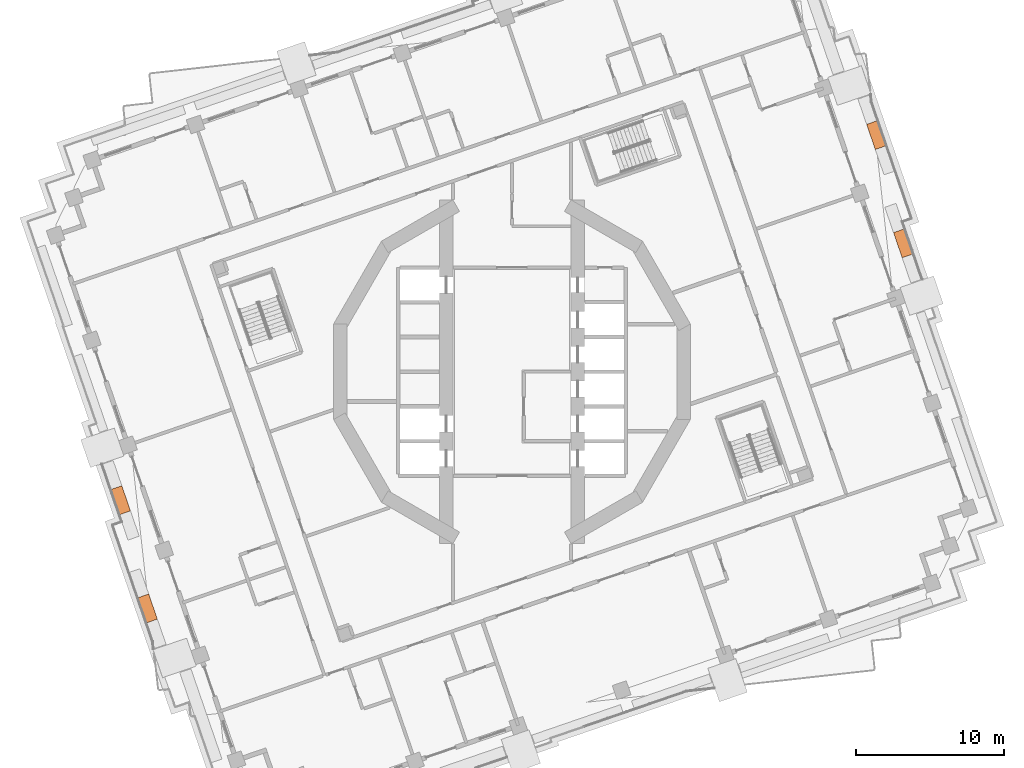
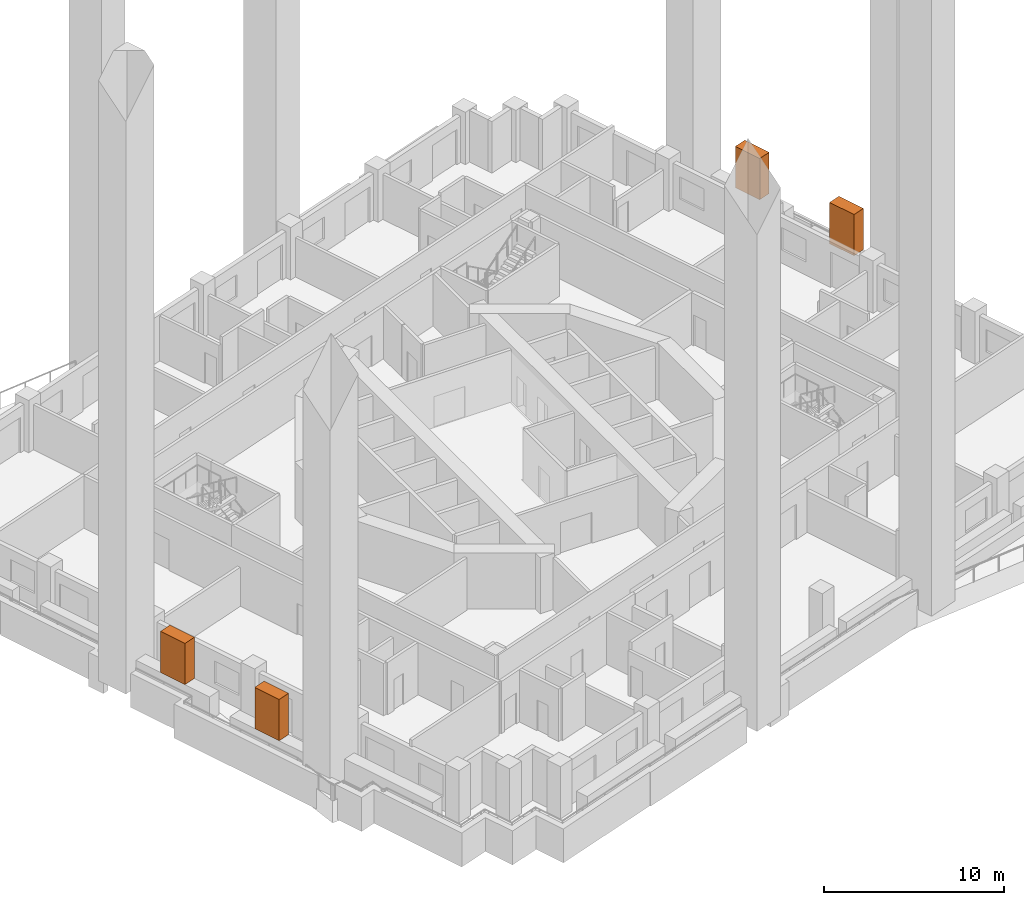
# One storey, part 18 of 18: 4 proxies.
"""IFC4 building model written with IfcOpenShell, lengths in metres."""

import ifcopenshell
import ifcopenshell.guid

model = None  # the IFC model being written
_history = None  # IfcOwnerHistory: only IFC2X3 demands one
_inside = {}  # id of a spatial element -> (the spatial element, [elements in it])
_under = {}  # id of a project, library or spatial element -> (it, [spatial elements below it])
_declared = {}  # id of a project -> (the project, [libraries it declares])
_typed = {}  # id of a type object -> (the type object, [elements of that type])
_made_of = {}  # id of a material, layer set ... -> (it, [elements and type objects made of it])


def new_model(schema):
    """Start an empty IFC model of exactly this schema.

    Asked for "IFC4X3", IfcOpenShell would pick the latest addendum, in which some entities
    have other attributes; the version numbers below select the first issue.
    IFC2X3 requires an IfcOwnerHistory on every rooted entity: one is made here for all.
    """
    global model, _history
    if schema == "IFC4X3":
        model = ifcopenshell.file(schema_version=(4, 3, 0, 0))
    else:
        model = ifcopenshell.file(schema=schema)
    _inside.clear()
    _under.clear()
    _declared.clear()
    _typed.clear()
    _made_of.clear()
    _history = None
    if model.schema == "IFC2X3":
        org = make("IfcOrganization", Name="unknown")
        user = make(
            "IfcPersonAndOrganization",
            ThePerson=make("IfcPerson", FamilyName="unknown"),
            TheOrganization=org,
        )
        app = make(
            "IfcApplication",
            ApplicationDeveloper=org,
            Version="unknown",
            ApplicationFullName="unknown",
            ApplicationIdentifier="unknown",
        )
        _history = make(
            "IfcOwnerHistory",
            OwningUser=user,
            OwningApplication=app,
            ChangeAction="ADDED",
            CreationDate=0,
        )
    return model


def make(cls, **values):
    """One entity of the class cls with the attributes given. An attribute that is None is left unset."""
    return model.create_entity(
        cls, **{name: value for name, value in values.items() if value is not None}
    )


def rooted(cls, **values):
    """An entity with a GlobalId (a new one), such as an element, a storey or a relation."""
    return make(cls, GlobalId=ifcopenshell.guid.new(), OwnerHistory=_history, **values)


def si_unit(unit_type, name, prefix=None):
    """IfcSIUnit, for example si_unit("LENGTHUNIT", "METRE", prefix="MILLI")."""
    return make("IfcSIUnit", UnitType=unit_type, Prefix=prefix, Name=name)


def assignment(units):
    """IfcUnitAssignment: the units of a project."""
    return None if units is None else make("IfcUnitAssignment", Units=units)


def point(xyz):
    """IfcCartesianPoint."""
    return None if xyz is None else make("IfcCartesianPoint", Coordinates=xyz)


def direction(xyz):
    """IfcDirection."""
    return None if xyz is None else make("IfcDirection", DirectionRatios=xyz)


def frame(location, z_axis=None, x_axis=None):
    """IfcAxis2Placement3D, a coordinate frame: its origin and axes. An axis left out is left unset."""
    return make(
        "IfcAxis2Placement3D",
        Location=point(location),
        Axis=direction(z_axis),
        RefDirection=direction(x_axis),
    )


def frame_2d(location, x_axis=None):
    """IfcAxis2Placement2D, a coordinate frame in the plane: its origin and x axis."""
    return make(
        "IfcAxis2Placement2D", Location=point(location), RefDirection=direction(x_axis)
    )


def origin():
    """The frame at (0, 0, 0) with its axes left unset."""
    return frame((0.0, 0.0, 0.0))


def origin_2d():
    """The frame at (0, 0) in the plane with its x axis left unset."""
    return frame_2d((0.0, 0.0))


def place(relative_to, where):
    """IfcLocalPlacement: puts the frame where relative to a parent placement (None: the world)."""
    return make(
        "IfcLocalPlacement", PlacementRelTo=relative_to, RelativePlacement=where
    )


def context(
    kind, dimensions, precision=None, world=None, true_north=None, identifier=None
):
    """IfcGeometricRepresentationContext, for example the 3D "Model" context."""
    return make(
        "IfcGeometricRepresentationContext",
        ContextIdentifier=identifier,
        ContextType=kind,
        CoordinateSpaceDimension=dimensions,
        Precision=precision,
        WorldCoordinateSystem=world,
        TrueNorth=true_north,
    )


def subcontext(parent, identifier, kind, view, scale=None):
    """IfcGeometricRepresentationSubContext, for example "Body" below "Model"."""
    return make(
        "IfcGeometricRepresentationSubContext",
        ContextIdentifier=identifier,
        ContextType=kind,
        ParentContext=parent,
        TargetScale=scale,
        TargetView=view,
    )


def project(units=None, contexts=None):
    """IfcProject with its units and contexts."""
    return rooted(
        "IfcProject",
        Name="project",
        RepresentationContexts=contexts,
        UnitsInContext=assignment(units),
    )


def spatial(cls, under=None, at=None, **own):
    """A site, building, storey or space (cls), placed at a placement, below another one or the project."""
    s = rooted(cls, ObjectPlacement=at, **own)
    if under is not None:
        _under.setdefault(under.id(), (under, []))[1].append(s)
    return s


def profile(cls, at=None, kind="AREA", **sizes):
    """A parametric profile (cls). Its sizes go by their IFC names, for example OverallWidth=200.0."""
    return make(cls, ProfileType=kind, Position=at, **sizes)


def rectangle(**sizes):
    """IfcRectangleProfileDef."""
    return profile("IfcRectangleProfileDef", **sizes)


def extrude(swept, where, along, depth):
    """IfcExtrudedAreaSolid: the profile swept, set in the frame where, extruded along a direction by depth."""
    return make(
        "IfcExtrudedAreaSolid",
        SweptArea=swept,
        Position=where,
        ExtrudedDirection=direction(along),
        Depth=depth,
    )


def shape(context_of_items, identifier, shape_type, items):
    """IfcShapeRepresentation: the items that make up one representation, for example the "Body"."""
    return make(
        "IfcShapeRepresentation",
        ContextOfItems=context_of_items,
        RepresentationIdentifier=identifier,
        RepresentationType=shape_type,
        Items=items,
    )


def made_of(thing, what):
    """Note that an element or type object is made of a material, layer set ...; save() writes the relation."""
    if what is not None:
        _made_of.setdefault(what.id(), (what, []))[1].append(thing)
    return thing


def element(
    cls,
    number,
    at=None,
    inside=None,
    cuts=None,
    type_object=None,
    material=None,
    context=None,
    identifier="Body",
    shape_type=None,
    held_by="IfcProductDefinitionShape",
    body=None,
    shapes=None,
    **own,
):
    """One element of the class cls, such as IfcWall. Its Tag is "e" and its number.

    at: its placement. inside: the storey or other place that contains it. cuts: it is an
    opening in that element (IfcRelVoidsElement). A single representation is given by context,
    identifier, shape_type and body (its items); several are given by shapes. held_by: the class
    of the entity that holds the representations. save() writes the other relations.
    """
    e = rooted(cls, Tag="e%d" % number, ObjectPlacement=at, **own)
    if body is not None:
        shapes = [shape(context, identifier, shape_type, body)]
    if shapes is not None:
        e.Representation = make(held_by, Representations=shapes)
    if inside is not None:
        _inside.setdefault(inside.id(), (inside, []))[1].append(e)
    if cuts is not None:
        rooted(
            "IfcRelVoidsElement", RelatingBuildingElement=cuts, RelatedOpeningElement=e
        )
    if type_object is not None:
        _typed.setdefault(type_object.id(), (type_object, []))[1].append(e)
    return made_of(e, material)


def aggregate(whole, parts):
    """IfcRelAggregates: a whole, such as a stair, and the parts it consists of."""
    return rooted("IfcRelAggregates", RelatingObject=whole, RelatedObjects=parts)


def save(model, path):
    """Write the relations noted so far, then the file.

    IfcRelAggregates (storeys below a building ...), IfcRelContainedInSpatialStructure (elements
    in a storey), IfcRelDefinesByType, IfcRelAssociatesMaterial and IfcRelDeclares: one each for
    every whole, place, type object, material and project.
    """
    for whole, parts in _under.values():
        aggregate(whole, parts)
    for where, things in _inside.values():
        rooted(
            "IfcRelContainedInSpatialStructure",
            RelatedElements=things,
            RelatingStructure=where,
        )
    for kind, things in _typed.values():
        rooted("IfcRelDefinesByType", RelatedObjects=things, RelatingType=kind)
    for what, things in _made_of.values():
        rooted("IfcRelAssociatesMaterial", RelatedObjects=things, RelatingMaterial=what)
    for by, libraries in _declared.values():
        rooted("IfcRelDeclares", RelatingContext=by, RelatedDefinitions=libraries)
    model.write(path)


model = new_model("IFC4")

# Units and contexts
model_context = context("Model", 3, precision=1e-05, world=origin(), true_north=direction((0.0, 1.0)))
body_context = subcontext(model_context, "Body", "Model", "MODEL_VIEW")
ifc_project = project(units=[si_unit("LENGTHUNIT", "METRE"), si_unit("AREAUNIT", "SQUARE_METRE"), si_unit("VOLUMEUNIT", "CUBIC_METRE"), si_unit("PLANEANGLEUNIT", "RADIAN"), si_unit("MASSUNIT", "GRAM", prefix="KILO")], contexts=[model_context])

# Site, building, storey
site_placement = place(None, origin())
site = spatial("IfcSite", under=ifc_project, at=site_placement, CompositionType="ELEMENT")
building_placement = place(site_placement, origin())
building = spatial("IfcBuilding", under=site, at=building_placement, Name="Cantera Rosa Tower", CompositionType="ELEMENT")
storey_placement = place(building_placement, frame((0.0, 0.0, 100.300048828125)))
storey = spatial("IfcBuildingStorey", under=building, at=storey_placement, Name="L19", CompositionType="ELEMENT", Elevation=100.300048828125)

# Proxies
for number, where, z_axis, x_axis, name in (
    (1, (26.5, 8.70166015625, 1.60009765625), (0.0, 0.0, 1.0), (-0.325568154457, 0.945518575599, 0.0), "TREE L19-03"),
    (2, (24.68017578125, 16.0283203125, 1.60009765625), (0.0, 0.0, 1.0), (-0.325568154457, 0.945518575599, 0.0), "TREE L19-04"),
    (3, (-26.5, -8.70166015625, 1.60009765625), (0.0, 0.0, 1.0), (0.325568154457, -0.945518575599, 0.0), "TREE L19-14"),
    (4, (-24.68017578125, -16.0283203125, 1.60009765625), (0.0, 0.0, 1.0), (0.325568154457, -0.945518575599, 0.0), "TREE L19-15"),
):
    element("IfcBuildingElementProxy", number, at=place(storey_placement, frame(where, z_axis=z_axis, x_axis=x_axis)), inside=storey, Name=name, ObjectType="TREE", PredefinedType="USERDEFINED", context=body_context, shape_type="SweptSolid", body=[
        extrude(rectangle(XDim=1.800048828125, YDim=0.800048828125, at=origin_2d()), origin(), (0.0, 0.0, 1.0), 2.800048828125),
    ])

save(model, "model.ifc")
